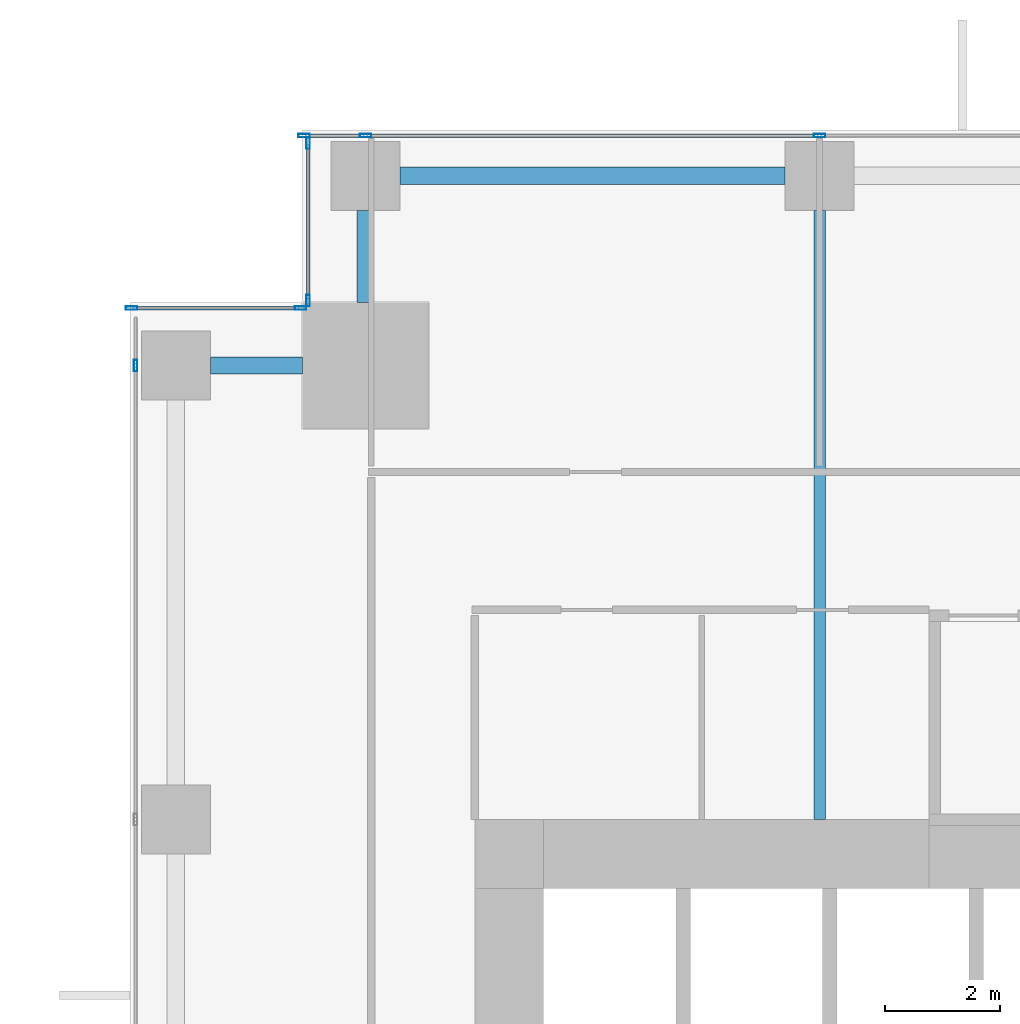
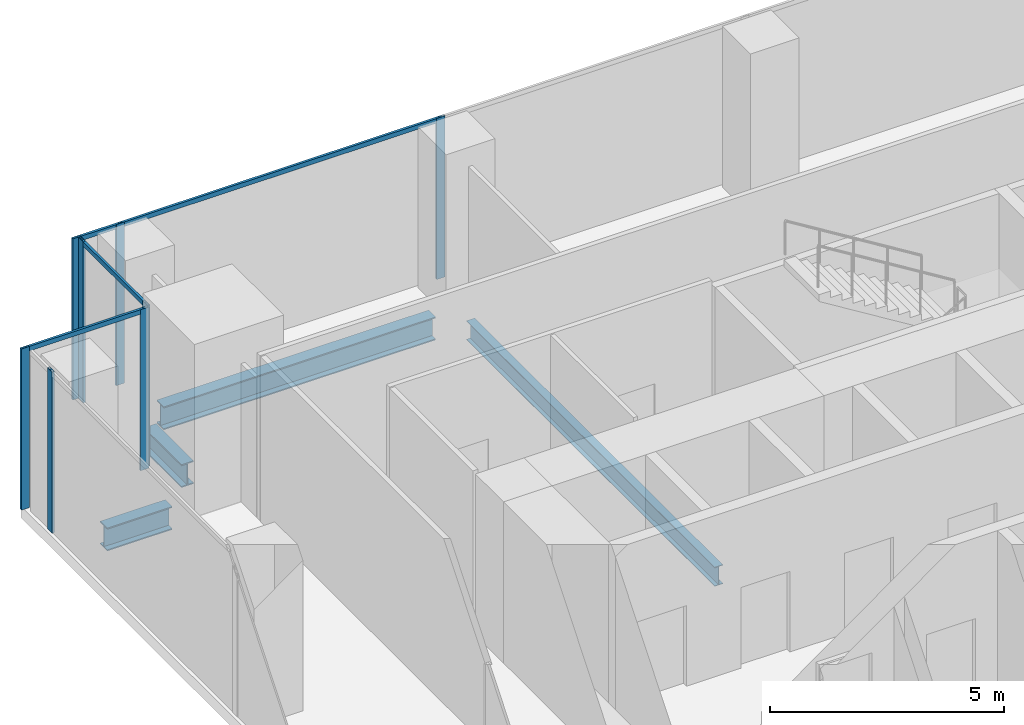
# One storey, part 14 of 33: 12 members, 4 beams, 4 elements without a shape of their own.
"""IFC4 building model written with IfcOpenShell, lengths in metres."""

from ifc_helpers import new_model, si_unit, direction, frame, origin, origin_2d, place, context, subcontext, project, spatial, hollow_rectangle, i_section, extrude, source, transform, mapped, material, material_profile, profile_set, type_object, element, aggregate, save


model = new_model("IFC4")

# Units and contexts
model_context = context("Model", 3, precision=1e-05, world=origin(), true_north=direction((0.0, 1.0)))
body_context = subcontext(model_context, "Body", "Model", "MODEL_VIEW")
ifc_project = project(units=[si_unit("LENGTHUNIT", "METRE"), si_unit("AREAUNIT", "SQUARE_METRE"), si_unit("VOLUMEUNIT", "CUBIC_METRE"), si_unit("PLANEANGLEUNIT", "RADIAN"), si_unit("MASSUNIT", "GRAM", prefix="KILO")], contexts=[model_context])

# Site, building, storey
site_placement = place(None, origin())
site = spatial("IfcSite", under=ifc_project, at=site_placement, CompositionType="ELEMENT")
building_placement = place(site_placement, origin())
building = spatial("IfcBuilding", under=site, at=building_placement, Name="Khomas Fold Tower", CompositionType="ELEMENT")
storey_placement = place(building_placement, frame((0.0, 0.0, 55.5)))
storey = spatial("IfcBuildingStorey", under=building, at=storey_placement, Name="L11", CompositionType="ELEMENT", Elevation=55.5)

# Beams
ifc_material_1 = material(Name="Steel S355", Category="steel")
ifc_material_profile_1 = material_profile(ifc_material_1, i_section(OverallWidth=0.199951171875, OverallDepth=0.5, WebThickness=0.01025390625, FlangeThickness=0.01611328125, at=origin_2d()), Name="IPE 500")
ifc_profile_set_1 = profile_set([ifc_material_profile_1], Name="Steel S355")
beam_type_1 = type_object("IfcBeamType", Name="IPE 500 beam JB5", PredefinedType="BEAM", material=ifc_profile_set_1)
shared_shape_1 = source(origin(), body_context, "Body", "SweptSolid", [
    extrude(i_section(OverallWidth=0.199951171875, OverallDepth=0.5, WebThickness=0.01025390625, FlangeThickness=0.01611328125, at=origin_2d()), origin(), (0.0, 0.0, 1.0), 10.60009765625),
])
beam_1_placement = place(storey_placement, frame((12.0, 42.0, -0.550048828125), z_axis=(0.0, 1.0, 0.0), x_axis=(-1.0, 0.0, 0.0)))
element("IfcBeam", 1, at=beam_1_placement, inside=storey, type_object=beam_type_1, Name="JB5", PredefinedType="BEAM", context=body_context, shape_type="MappedRepresentation", body=[
    mapped(shared_shape_1, transform((0.0, 0.0, 0.0))),
])
ifc_material_2 = material(Name="Steel S355", Category="steel")
ifc_material_profile_2 = material_profile(ifc_material_2, i_section(OverallWidth=0.300048828125, OverallDepth=0.60009765625, WebThickness=0.015380859375, FlangeThickness=0.030029296875, at=origin_2d()), Name="HE 600 B")
ifc_profile_set_2 = profile_set([ifc_material_profile_2], Name="Steel S355")
beam_type_2 = type_object("IfcBeamType", Name="HE 600 B spandrel SB1", PredefinedType="SPANDREL", material=ifc_profile_set_2)
shared_shape_2 = source(origin(), body_context, "Body", "SweptSolid", [
    extrude(i_section(OverallWidth=0.300048828125, OverallDepth=0.60009765625, WebThickness=0.015380859375, FlangeThickness=0.030029296875, at=origin_2d()), origin(), (0.0, 0.0, 1.0), 6.699951171875),
])
beam_2_placement = place(storey_placement, frame((4.699951171875, 53.199951171875, -0.60009765625), z_axis=(1.0, 0.0, 0.0), x_axis=(0.0, 1.0, 0.0)))
element("IfcBeam", 2, at=beam_2_placement, inside=storey, type_object=beam_type_2, Name="SB1", PredefinedType="SPANDREL", context=body_context, shape_type="MappedRepresentation", body=[
    mapped(shared_shape_2, transform((0.0, 0.0, 0.0))),
])
shared_shape_3 = source(origin(), body_context, "Body", "SweptSolid", [
    extrude(i_section(OverallWidth=0.300048828125, OverallDepth=0.60009765625, WebThickness=0.015380859375, FlangeThickness=0.030029296875, at=origin_2d()), origin(), (0.0, 0.0, 1.0), 1.60009765625),
])
for number, where, z_axis, x_axis, name in (
    (3, (4.10009765625, 51.0, -0.60009765625), (0.0, 1.0, 0.0), (-1.0, 0.0, 0.0), "SB1"),
    (4, (1.39990234375, 49.89990234375, -0.60009765625), (1.0, 0.0, 0.0), (0.0, 1.0, 0.0), "SB1"),
):
    element("IfcBeam", number, at=place(storey_placement, frame(where, z_axis=z_axis, x_axis=x_axis)), inside=storey, type_object=beam_type_2, Name=name, PredefinedType="SPANDREL", context=body_context, shape_type="MappedRepresentation", body=[
        mapped(shared_shape_3, transform((0.0, 0.0, 0.0))),
    ])

# Curtain wall, members
ifc_material_3 = material(Name="Aluminium framed double glazing", Category="aluminium")
curtain_wall_type = type_object("IfcCurtainWallType", Name="SK-Unitised clear-glass wall, growing floors CW1", PredefinedType="NOTDEFINED", material=ifc_material_3)
curtain_wall_1_placement = place(storey_placement, origin())
curtain_wall_1 = element("IfcCurtainWall", 5, at=curtain_wall_1_placement, inside=storey, type_object=curtain_wall_type, Name="CW1 run L11 06-1", PredefinedType="NOTDEFINED")
ifc_material_4 = material(Name="Aluminium", Category="aluminium")
ifc_material_profile_3 = material_profile(ifc_material_4, hollow_rectangle(XDim=0.06005859375, YDim=0.1201171875, WallThickness=0.00390625, at=origin_2d()), Name="SK-Unitised clear-glass wall, growing floors transom CW1-T")
ifc_profile_set_3 = profile_set([ifc_material_profile_3], Name="Aluminium")
member_type_1 = type_object("IfcMemberType", Name="SK-Unitised clear-glass wall, growing floors transom CW1-T", PredefinedType="USERDEFINED", material=ifc_profile_set_3)
shared_shape_4 = source(origin(), body_context, "Body", "SweptSolid", [
    extrude(hollow_rectangle(XDim=0.06005859375, YDim=0.1201171875, WallThickness=0.00390625, at=origin_2d()), origin(), (0.0, 0.0, 1.0), 7.840087890625),
])
member_1_placement = place(storey_placement, frame((11.969970703125, 53.89990234375, 4.139892578125), z_axis=(-1.0, 0.0, 0.0), x_axis=(0.0, -1.0, 0.0)))
member_1 = element("IfcMember", 6, at=member_1_placement, type_object=member_type_1, Name="CW1 transom 4", ObjectType="TRANSOM", PredefinedType="USERDEFINED", context=body_context, shape_type="MappedRepresentation", body=[
    mapped(shared_shape_4, transform((0.0, 0.0, 0.0))),
])
shared_shape_5 = source(origin(), body_context, "Body", "SweptSolid", [
    extrude(hollow_rectangle(XDim=0.06005859375, YDim=0.1201171875, WallThickness=0.00390625, at=origin_2d()), origin(), (0.0, 0.0, 1.0), 1.010009765625),
])
member_2_placement = place(storey_placement, frame((4.070068359375, 53.89990234375, 4.139892578125), z_axis=(-1.0, 0.0, 0.0), x_axis=(0.0, -1.0, 0.0)))
member_2 = element("IfcMember", 7, at=member_2_placement, type_object=member_type_1, Name="CW1 transom 5", ObjectType="TRANSOM", PredefinedType="USERDEFINED", context=body_context, shape_type="MappedRepresentation", body=[
    mapped(shared_shape_5, transform((0.0, 0.0, 0.0))),
])

# Curtain wall, member
curtain_wall_2_placement = place(storey_placement, origin())
curtain_wall_2 = element("IfcCurtainWall", 8, at=curtain_wall_2_placement, inside=storey, type_object=curtain_wall_type, Name="CW1 corner return L11 07", PredefinedType="NOTDEFINED")
shared_shape_6 = source(origin(), body_context, "Body", "SweptSolid", [
    extrude(hollow_rectangle(XDim=0.06005859375, YDim=0.1201171875, WallThickness=0.00390625, at=origin_2d()), origin(), (0.0, 0.0, 1.0), 2.679931640625),
])
member_3_placement = place(storey_placement, frame((3.10009765625, 53.739990234375, 4.139892578125), z_axis=(0.0, -1.0, 0.0), x_axis=(1.0, 0.0, 0.0)))
member_3 = element("IfcMember", 9, at=member_3_placement, type_object=member_type_1, Name="CW1 transom 1", ObjectType="TRANSOM", PredefinedType="USERDEFINED", context=body_context, shape_type="MappedRepresentation", body=[
    mapped(shared_shape_6, transform((0.0, 0.0, 0.0))),
])

curtain_wall_3_placement = place(storey_placement, origin())
curtain_wall_3 = element("IfcCurtainWall", 10, at=curtain_wall_3_placement, inside=storey, type_object=curtain_wall_type, Name="CW1 corner return L11 08", PredefinedType="NOTDEFINED")
shared_shape_7 = source(origin(), body_context, "Body", "SweptSolid", [
    extrude(hollow_rectangle(XDim=0.06005859375, YDim=0.1201171875, WallThickness=0.00390625, at=origin_2d()), origin(), (0.0, 0.0, 1.0), 2.8798828125),
])
member_4_placement = place(storey_placement, frame((2.93994140625, 50.89990234375, 4.139892578125), z_axis=(-1.0, 0.0, 0.0), x_axis=(0.0, -1.0, 0.0)))
member_4 = element("IfcMember", 11, at=member_4_placement, type_object=member_type_1, Name="CW1 transom 1", ObjectType="TRANSOM", PredefinedType="USERDEFINED", context=body_context, shape_type="MappedRepresentation", body=[
    mapped(shared_shape_7, transform((0.0, 0.0, 0.0))),
])

# Member
ifc_material_5 = material(Name="Aluminium", Category="aluminium")
ifc_material_profile_4 = material_profile(ifc_material_5, hollow_rectangle(XDim=0.06005859375, YDim=0.199951171875, WallThickness=0.00390625, at=origin_2d()), Name="SK-Unitised clear-glass wall, growing floors mullion CW1-M")
ifc_profile_set_4 = profile_set([ifc_material_profile_4], Name="Aluminium")
member_type_2 = type_object("IfcMemberType", Name="SK-Unitised clear-glass wall, growing floors mullion CW1-M", PredefinedType="MULLION", material=ifc_profile_set_4)
shared_shape_8 = source(origin(), body_context, "Body", "SweptSolid", [
    extrude(hollow_rectangle(XDim=0.06005859375, YDim=0.199951171875, WallThickness=0.00390625, at=origin_2d()), origin(), (0.0, 0.0, 1.0), 4.199951171875),
])
member_5_placement = place(storey_placement, frame((12.0, 53.89990234375, 0.0), z_axis=(0.0, 0.0, 1.0), x_axis=(0.0, -1.0, 0.0)))
member_5 = element("IfcMember", 12, at=member_5_placement, type_object=member_type_2, Name="CW1 mullion 4", PredefinedType="MULLION", context=body_context, shape_type="MappedRepresentation", body=[
    mapped(shared_shape_8, transform((0.0, 0.0, 0.0))),
])

member_6_placement = place(storey_placement, frame((4.10009765625, 53.89990234375, 0.0), z_axis=(0.0, 0.0, 1.0), x_axis=(0.0, -1.0, 0.0)))
member_6 = element("IfcMember", 13, at=member_6_placement, type_object=member_type_2, Name="CW1 mullion 5", PredefinedType="MULLION", context=body_context, shape_type="MappedRepresentation", body=[
    mapped(shared_shape_8, transform((0.0, 0.0, 0.0))),
])

member_7_placement = place(storey_placement, frame((3.030029296875, 53.89990234375, 0.0), z_axis=(0.0, 0.0, 1.0), x_axis=(0.0, -1.0, 0.0)))
member_7 = element("IfcMember", 14, at=member_7_placement, type_object=member_type_2, Name="CW1 mullion 6", PredefinedType="MULLION", context=body_context, shape_type="MappedRepresentation", body=[
    mapped(shared_shape_8, transform((0.0, 0.0, 0.0))),
])

aggregate(curtain_wall_1, [member_5, member_6, member_7, member_1, member_2])

member_8_placement = place(storey_placement, frame((3.10009765625, 53.77001953125, 0.0), z_axis=(0.0, 0.0, 1.0), x_axis=(1.0, 0.0, 0.0)))
member_8 = element("IfcMember", 15, at=member_8_placement, type_object=member_type_2, Name="CW1 mullion 1", PredefinedType="MULLION", context=body_context, shape_type="MappedRepresentation", body=[
    mapped(shared_shape_8, transform((0.0, 0.0, 0.0))),
])

member_9_placement = place(storey_placement, frame((3.10009765625, 51.030029296875, 0.0), z_axis=(0.0, 0.0, 1.0), x_axis=(1.0, 0.0, 0.0)))
member_9 = element("IfcMember", 16, at=member_9_placement, type_object=member_type_2, Name="CW1 mullion 2", PredefinedType="MULLION", context=body_context, shape_type="MappedRepresentation", body=[
    mapped(shared_shape_8, transform((0.0, 0.0, 0.0))),
])

aggregate(curtain_wall_2, [member_8, member_9, member_3])

member_10_placement = place(storey_placement, frame((2.969970703125, 50.89990234375, 0.0), z_axis=(0.0, 0.0, 1.0), x_axis=(0.0, -1.0, 0.0)))
member_10 = element("IfcMember", 17, at=member_10_placement, type_object=member_type_2, Name="CW1 mullion 1", PredefinedType="MULLION", context=body_context, shape_type="MappedRepresentation", body=[
    mapped(shared_shape_8, transform((0.0, 0.0, 0.0))),
])

member_11_placement = place(storey_placement, frame((0.030029296875, 50.89990234375, 0.0), z_axis=(0.0, 0.0, 1.0), x_axis=(0.0, -1.0, 0.0)))
member_11 = element("IfcMember", 18, at=member_11_placement, type_object=member_type_2, Name="CW1 mullion 2", PredefinedType="MULLION", context=body_context, shape_type="MappedRepresentation", body=[
    mapped(shared_shape_8, transform((0.0, 0.0, 0.0))),
])

aggregate(curtain_wall_3, [member_10, member_11, member_4])

# Curtain wall, member
curtain_wall_4_placement = place(storey_placement, origin())
curtain_wall_4 = element("IfcCurtainWall", 19, at=curtain_wall_4_placement, inside=storey, type_object=curtain_wall_type, Name="CW1 run L11 09-0", PredefinedType="NOTDEFINED")
member_12_placement = place(storey_placement, frame((0.10009765625, 49.89990234375, 0.0), z_axis=(0.0, 0.0, 1.0), x_axis=(1.0, 0.0, 0.0)))
member_12 = element("IfcMember", 20, at=member_12_placement, type_object=member_type_2, Name="CW1 mullion 2", PredefinedType="MULLION", context=body_context, shape_type="MappedRepresentation", body=[
    mapped(shared_shape_8, transform((0.0, 0.0, 0.0))),
])
aggregate(curtain_wall_4, [member_12])

save(model, "model.ifc")
